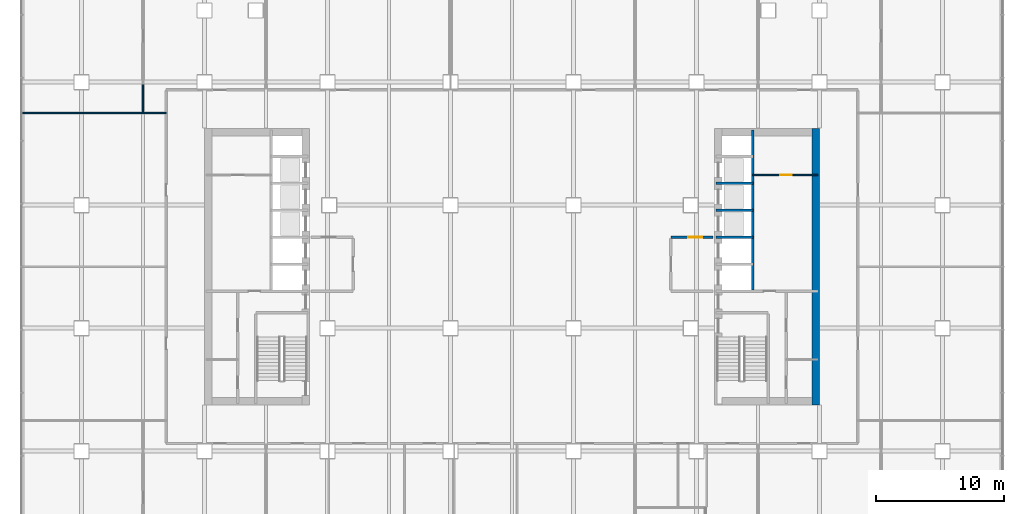
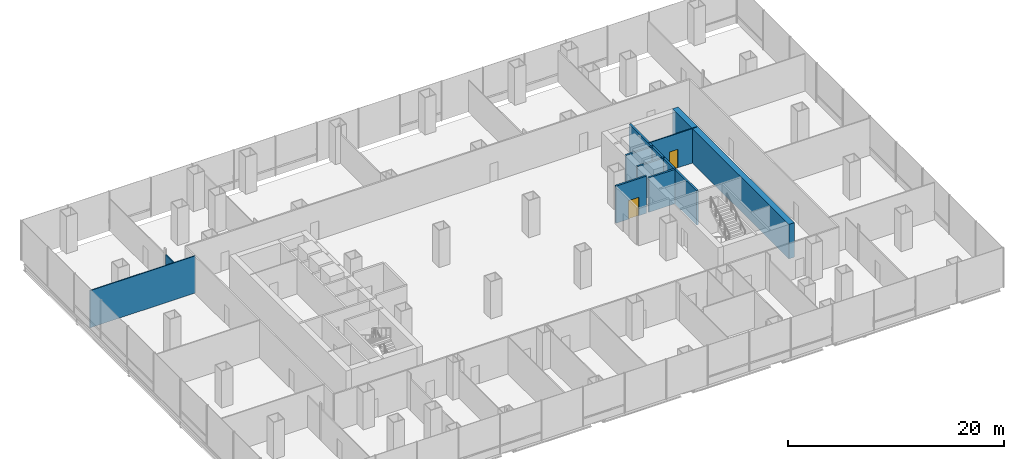
# One storey, part 18 of 23: 9 walls, 2 doors, 2 openings.
"""IFC4 building model written with IfcOpenShell, lengths in metres."""

from ifc_helpers import new_model, si_unit, direction, frame, frame_2d, origin, place, context, subcontext, project, spatial, rectangle, extrude, material, layer, layer_set, type_object, element, fill, save


model = new_model("IFC4")

# Units and contexts
model_context = context("Model", 3, precision=1e-05, world=origin(), true_north=direction((0.0, 1.0)))
body_context = subcontext(model_context, "Body", "Model", "MODEL_VIEW")
ifc_project = project(units=[si_unit("LENGTHUNIT", "METRE"), si_unit("AREAUNIT", "SQUARE_METRE"), si_unit("VOLUMEUNIT", "CUBIC_METRE"), si_unit("PLANEANGLEUNIT", "RADIAN"), si_unit("MASSUNIT", "GRAM", prefix="KILO")], contexts=[model_context])

# Site, building, storey
site_placement = place(None, origin())
site = spatial("IfcSite", under=ifc_project, at=site_placement, CompositionType="ELEMENT")
building_placement = place(site_placement, origin())
building = spatial("IfcBuilding", under=site, at=building_placement, Name="Cobrizo Arcos Hotel Tower", CompositionType="ELEMENT")
storey_placement = place(building_placement, frame((0.0, 0.0, 29.0)))
storey = spatial("IfcBuildingStorey", under=building, at=storey_placement, Name="L05", CompositionType="ELEMENT", Elevation=29.0)

# Wall, opening, door
ifc_material_1 = material(Name="Gypsum board partition")
ifc_layer_1 = layer(ifc_material_1, 0.10009765625)
ifc_layer_set_1 = layer_set([ifc_layer_1], Name="Partition EI 30 100")
wall_type_1 = type_object("IfcWallType", Name="Partition EI 30 100", PredefinedType="PARTITIONING", material=ifc_layer_set_1)
wall_1_placement = place(storey_placement, frame((18.800048828125, 7.14990234375, 0.0), z_axis=(0.0, 0.0, 1.0), x_axis=(1.0, 0.0, 0.0)))
wall_1 = element("IfcWall", 1, at=wall_1_placement, inside=storey, type_object=wall_type_1, Name="Partition 026", PredefinedType="PARTITIONING", context=body_context, shape_type="SweptSolid", body=[
    extrude(rectangle(XDim=5.079833984375, YDim=0.10009765625, at=frame_2d((2.5400390625, 0.0))), origin(), (0.0, 0.0, 1.0), 3.89990234375),
])
opening_1_placement = place(wall_1_placement, frame((2.14990234375, 0.0, 0.0)))
opening_1 = element("IfcOpeningElement", 2, at=opening_1_placement, cuts=wall_1, Name="Opening RD-08", PredefinedType="OPENING", context=body_context, shape_type="SweptSolid", body=[
    extrude(rectangle(XDim=0.89990234375, YDim=2.10009765625, at=frame_2d((0.449951171875, 1.050048828125))), frame((0.0, 0.06201171875, 0.0), z_axis=(0.0, -1.0, 0.0), x_axis=(1.0, 0.0, 0.0)), (0.0, 0.0, 1.0), 0.1240234375),
])
ifc_material_2 = material(Name="Timber door leaf", Category="wood")
door_type_1 = type_object("IfcDoorType", Name="Room door FD30 900x2100", OperationType="SINGLE_SWING_LEFT", PredefinedType="DOOR", material=ifc_material_2)
door_1_placement = place(opening_1_placement, origin())
door_1 = element("IfcDoor", 3, at=door_1_placement, inside=storey, type_object=door_type_1, Name="Door RD-08", OperationType="SINGLE_SWING_RIGHT", OverallHeight=2.10009765625, OverallWidth=0.89990234375, PredefinedType="DOOR", context=body_context, shape_type="SweptSolid", body=[
    extrude(rectangle(XDim=0.89990234375, YDim=2.10009765625, at=frame_2d((0.449951171875, 1.050048828125))), frame((0.0, 0.02490234375, 0.0), z_axis=(0.0, -1.0, 0.0), x_axis=(1.0, 0.0, 0.0)), (0.0, 0.0, 1.0), 0.050048828125),
])
fill(opening_1, door_1)

# Walls
wall_2_placement = place(storey_placement, frame((-38.280029296875, 12.0, 0.0), z_axis=(0.0, 0.0, 1.0), x_axis=(1.0, 0.0, 0.0)))
element("IfcWall", 4, at=wall_2_placement, inside=storey, type_object=wall_type_1, Name="Partition 029", PredefinedType="PARTITIONING", context=body_context, shape_type="SweptSolid", body=[
    extrude(rectangle(XDim=11.280029296875, YDim=0.10009765625, at=frame_2d((5.64013671875, 0.0))), origin(), (0.0, 0.0, 1.0), 4.199951171875),
])
wall_3_placement = place(storey_placement, frame((-28.800048828125, 12.050048828125, 0.0), z_axis=(0.0, 0.0, 1.0), x_axis=(0.0, 1.0, 0.0)))
element("IfcWall", 5, at=wall_3_placement, inside=storey, type_object=wall_type_1, Name="Partition 035", PredefinedType="PARTITIONING", context=body_context, shape_type="SweptSolid", body=[
    extrude(rectangle(XDim=2.196044921875, YDim=0.10009765625, at=frame_2d((1.09814453125, 0.0))), origin(), (0.0, 0.0, 1.0), 3.5830078125),
])
ifc_material_3 = material(Name="Concrete f'c 60 MPa", Category="concrete")
ifc_layer_2 = layer(ifc_material_3, 0.60009765625)
ifc_layer_set_2 = layer_set([ifc_layer_2], Name="RC core wall 600 f'c 60")
wall_type_2 = type_object("IfcWallType", Name="RC core wall 600 f'c 60", PredefinedType="SHEAR", material=ifc_layer_set_2)
wall_4_placement = place(storey_placement, frame((23.699951171875, -10.800048828125, 0.0), z_axis=(0.0, 0.0, 1.0), x_axis=(0.0, 1.0, 0.0)))
element("IfcWall", 6, at=wall_4_placement, inside=storey, type_object=wall_type_2, Name="Core wall CW1, east core, outer face, L05", PredefinedType="SHEAR", context=body_context, shape_type="SweptSolid", body=[
    extrude(rectangle(XDim=21.60009765625, YDim=0.60009765625, at=frame_2d((10.800048828125, 0.0))), origin(), (0.0, 0.0, 1.0), 3.89990234375),
])

# Wall, opening, door
ifc_layer_3 = layer(ifc_material_1, 0.199951171875)
ifc_layer_set_3 = layer_set([ifc_layer_3], Name="Shaft wall EI 120 200")
wall_type_3 = type_object("IfcWallType", Name="Shaft wall EI 120 200", PredefinedType="PARTITIONING", material=ifc_layer_set_3)
wall_5_placement = place(storey_placement, frame((12.39990234375, 2.300048828125, 0.0), z_axis=(0.0, 0.0, 1.0), x_axis=(1.0, 0.0, 0.0)))
wall_5 = element("IfcWall", 7, at=wall_5_placement, inside=storey, type_object=wall_type_3, Name="Partition 019", PredefinedType="PARTITIONING", context=body_context, shape_type="SweptSolid", body=[
    extrude(rectangle(XDim=3.280029296875, YDim=0.199951171875, at=frame_2d((1.64013671875, 0.0))), origin(), (0.0, 0.0, 1.0), 4.199951171875),
])
opening_2_placement = place(wall_5_placement, frame((1.340087890625, 0.0, 0.0)))
opening_2 = element("IfcOpeningElement", 8, at=opening_2_placement, cuts=wall_5, Name="Opening FD-06", PredefinedType="OPENING", context=body_context, shape_type="SweptSolid", body=[
    extrude(rectangle(XDim=1.10009765625, YDim=2.10009765625, at=frame_2d((0.550048828125, 1.050048828125))), frame((0.0, 0.112060546875, 0.0), z_axis=(0.0, -1.0, 0.0), x_axis=(1.0, 0.0, 0.0)), (0.0, 0.0, 1.0), 0.223876953125),
])
ifc_material_4 = material(Name="Steel door leaf", Category="steel")
door_type_2 = type_object("IfcDoorType", Name="Fire door FD60 1100x2100", OperationType="SINGLE_SWING_LEFT", PredefinedType="DOOR", material=ifc_material_4)
door_2_placement = place(opening_2_placement, origin())
door_2 = element("IfcDoor", 9, at=door_2_placement, inside=storey, type_object=door_type_2, Name="Door FD-06", OperationType="SINGLE_SWING_RIGHT", OverallHeight=2.10009765625, OverallWidth=1.10009765625, PredefinedType="DOOR", context=body_context, shape_type="SweptSolid", body=[
    extrude(rectangle(XDim=1.10009765625, YDim=2.10009765625, at=frame_2d((0.550048828125, 1.050048828125))), frame((0.0, 0.02490234375, 0.0), z_axis=(0.0, -1.0, 0.0), x_axis=(1.0, 0.0, 0.0)), (0.0, 0.0, 1.0), 0.050048828125),
])
fill(opening_2, door_2)

# Walls
for number, where, z_axis, x_axis, name in (
    (10, (15.919921875, 2.300048828125, 0.0), (0.0, 0.0, 1.0), (1.0, 0.0, 0.0), "Partition 020"),
    (11, (15.919921875, 4.39990234375, 0.0), (0.0, 0.0, 1.0), (1.0, 0.0, 0.0), "Partition 022"),
    (12, (15.919921875, 6.5, 0.0), (0.0, 0.0, 1.0), (1.0, 0.0, 0.0), "Partition 024"),
):
    element("IfcWall", number, at=place(storey_placement, frame(where, z_axis=z_axis, x_axis=x_axis)), inside=storey, type_object=wall_type_3, Name=name, PredefinedType="PARTITIONING", context=body_context, shape_type="SweptSolid", body=[
        extrude(rectangle(XDim=2.880126953125, YDim=0.199951171875, at=frame_2d((1.43994140625, 0.0))), origin(), (0.0, 0.0, 1.0), 3.89990234375),
    ])
wall_6_placement = place(storey_placement, frame((18.800048828125, -1.800048828125, 0.0), z_axis=(0.0, 0.0, 1.0), x_axis=(0.0, 1.0, 0.0)))
element("IfcWall", 13, at=wall_6_placement, inside=storey, type_object=wall_type_3, Name="Partition 064", PredefinedType="PARTITIONING", context=body_context, shape_type="SweptSolid", body=[
    extrude(rectangle(XDim=12.47998046875, YDim=0.199951171875, at=frame_2d((6.239990234375, 0.0))), origin(), (0.0, 0.0, 1.0), 3.89990234375),
])

save(model, "model.ifc")
